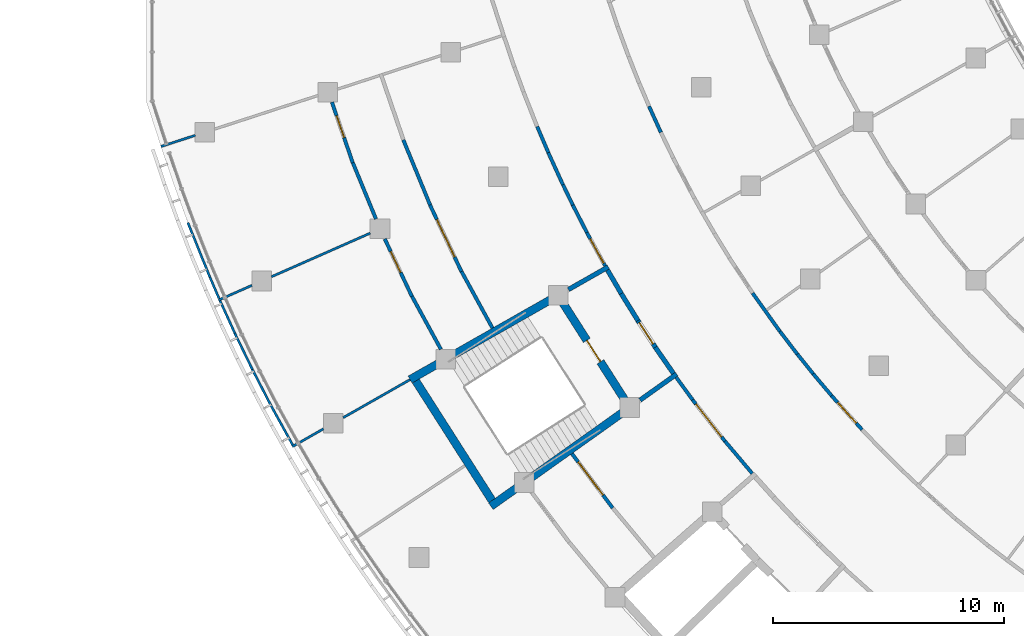
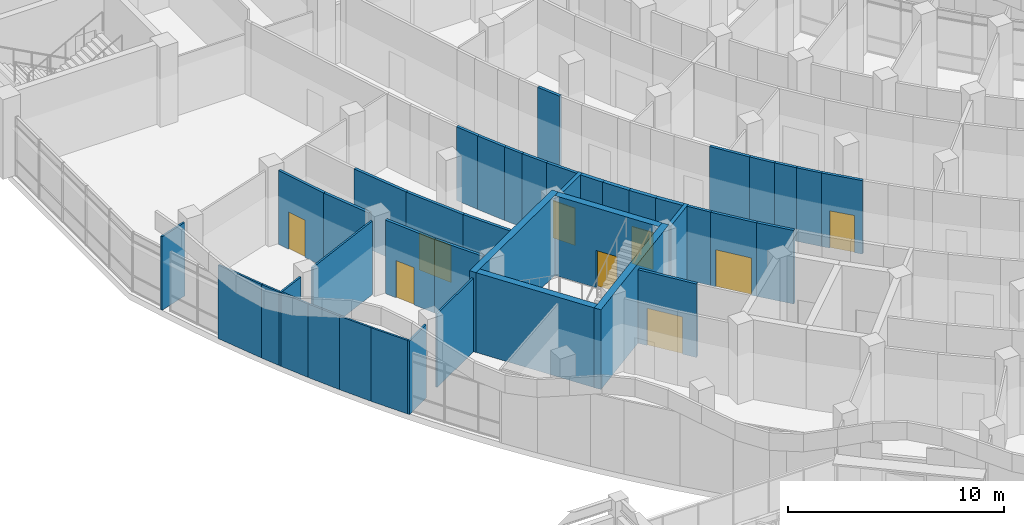
# One storey, part 65 of 136: 43 walls, 9 doors, 9 openings.
"""IFC4 building model written with IfcOpenShell, lengths in metres."""

from ifc_helpers import new_model, si_unit, direction, frame, frame_2d, origin, place, context, subcontext, project, spatial, rectangle, extrude, material, layer, layer_set, type_object, element, fill, save


model = new_model("IFC4")

# Units and contexts
model_context = context("Model", 3, precision=1e-05, world=origin(), true_north=direction((0.0, 1.0)))
body_context = subcontext(model_context, "Body", "Model", "MODEL_VIEW")
ifc_project = project(units=[si_unit("LENGTHUNIT", "METRE"), si_unit("AREAUNIT", "SQUARE_METRE"), si_unit("VOLUMEUNIT", "CUBIC_METRE"), si_unit("PLANEANGLEUNIT", "RADIAN"), si_unit("MASSUNIT", "GRAM", prefix="KILO")], contexts=[model_context])

# Site, building, storey
site_placement = place(None, origin())
site = spatial("IfcSite", under=ifc_project, at=site_placement, CompositionType="ELEMENT")
building_placement = place(site_placement, origin())
building = spatial("IfcBuilding", under=site, at=building_placement, Name="Bougainvillea Quay General Hospital", CompositionType="ELEMENT")
storey_placement = place(building_placement, frame((0.0, 0.0, 5.39990234375)))
storey = spatial("IfcBuildingStorey", under=building, at=storey_placement, Name="L01", CompositionType="ELEMENT", Elevation=5.39990234375)

# Walls
ifc_material_1 = material(Name="Gypsum board partition on steel studs", Category="steel")
ifc_layer_1 = layer(ifc_material_1, 0.10009765625)
ifc_layer_set_1 = layer_set([ifc_layer_1], Name="Gypsum board partition on steel studs")
wall_type_1 = type_object("IfcWallType", Name="Partition 100 Gypsum board partition EI 30", PredefinedType="PARTITIONING", material=ifc_layer_set_1)
wall_1_placement = place(storey_placement, frame((42.6259765625, 104.368896484375, 0.0), z_axis=(0.0, 0.0, 1.0), x_axis=(0.951042089894, 0.309061390748, 0.0)))
element("IfcWall", 1, at=wall_1_placement, inside=storey, type_object=wall_type_1, Name="Partition 100 mm EI 30", PredefinedType="PARTITIONING", context=body_context, shape_type="SweptSolid", body=[
    extrude(rectangle(XDim=1.565673828125, YDim=0.10009765625, at=frame_2d((0.78271484375, 0.0))), origin(), (0.0, 0.0, 1.0), 4.150146484375),
])
wall_2_placement = place(storey_placement, frame((48.3125, 91.371337890625, 0.0), z_axis=(0.0, 0.0, 1.0), x_axis=(0.869234661703, 0.494399739981, 0.0)))
element("IfcWall", 2, at=wall_2_placement, inside=storey, type_object=wall_type_1, Name="Partition 100 mm EI 30", PredefinedType="PARTITIONING", context=body_context, shape_type="SweptSolid", body=[
    extrude(rectangle(XDim=1.557861328125, YDim=0.10009765625, at=frame_2d((0.77880859375, 0.0))), origin(), (0.0, 0.0, 1.0), 4.150146484375),
])
wall_3_placement = place(storey_placement, frame((50.51513671875, 92.624267578125, 0.0), z_axis=(0.0, 0.0, 1.0), x_axis=(0.869240805435, 0.494388938152, 0.0)))
element("IfcWall", 3, at=wall_3_placement, inside=storey, type_object=wall_type_1, Name="Partition 100 mm EI 30", PredefinedType="PARTITIONING", context=body_context, shape_type="SweptSolid", body=[
    extrude(rectangle(XDim=3.337158203125, YDim=0.10009765625, at=frame_2d((1.66845703125, 0.0))), origin(), (0.0, 0.0, 1.0), 4.150146484375),
])
wall_4_placement = place(storey_placement, frame((45.1171875, 97.71484375, 0.0), z_axis=(0.0, 0.0, 1.0), x_axis=(0.914854349244, 0.403784001254, 0.0)))
element("IfcWall", 4, at=wall_4_placement, inside=storey, type_object=wall_type_1, Name="Partition 100 mm EI 30", PredefinedType="PARTITIONING", context=body_context, shape_type="SweptSolid", body=[
    extrude(rectangle(XDim=1.58837890625, YDim=0.10009765625, at=frame_2d((0.794189453125, 0.0))), origin(), (0.0, 0.0, 1.0), 4.150146484375),
])
wall_5_placement = place(storey_placement, frame((47.409912109375, 98.726806640625, 0.0), z_axis=(0.0, 0.0, 1.0), x_axis=(0.914855501136, 0.403781391401, 0.0)))
element("IfcWall", 5, at=wall_5_placement, inside=storey, type_object=wall_type_1, Name="Partition 100 mm EI 30", PredefinedType="PARTITIONING", context=body_context, shape_type="SweptSolid", body=[
    extrude(rectangle(XDim=4.682861328125, YDim=0.10009765625, at=frame_2d((2.34130859375, 0.0))), origin(), (0.0, 0.0, 1.0), 4.150146484375),
])
wall_6_placement = place(storey_placement, frame((43.791015625, 101.069091796875, 0.0), z_axis=(0.0, 0.0, 1.0), x_axis=(0.374360148829, -0.927283386549, 0.0)))
element("IfcWall", 6, at=wall_6_placement, inside=storey, type_object=wall_type_1, Name="Partition 100 mm EI 30", PredefinedType="PARTITIONING", context=body_context, shape_type="SweptSolid", body=[
    extrude(rectangle(XDim=2.5498046875, YDim=0.10009765625, at=frame_2d((1.27490234375, 0.0))), origin(), (0.0, 0.0, 1.0), 4.150146484375),
])
wall_7_placement = place(storey_placement, frame((47.3837890625, 93.15771484375, 0.0), z_axis=(0.0, 0.0, 1.0), x_axis=(0.483136563149, -0.87554500818, 0.0)))
element("IfcWall", 7, at=wall_7_placement, inside=storey, type_object=wall_type_1, Name="Partition 100 mm EI 30", PredefinedType="PARTITIONING", context=body_context, shape_type="SweptSolid", body=[
    extrude(rectangle(XDim=1.961669921875, YDim=0.10009765625, at=frame_2d((0.98095703125, 0.0))), origin(), (0.0, 0.0, 1.0), 4.150146484375),
])
wall_8_placement = place(storey_placement, frame((46.5830078125, 94.71240234375, 0.0), z_axis=(0.0, 0.0, 1.0), x_axis=(0.458671346527, -0.888605984604, 0.0)))
element("IfcWall", 8, at=wall_8_placement, inside=storey, type_object=wall_type_1, Name="Partition 100 mm EI 30", PredefinedType="PARTITIONING", context=body_context, shape_type="SweptSolid", body=[
    extrude(rectangle(XDim=1.750244140625, YDim=0.10009765625, at=frame_2d((0.875, 0.0))), origin(), (0.0, 0.0, 1.0), 4.150146484375),
])
wall_9_placement = place(storey_placement, frame((45.8203125, 96.285888671875, 0.0), z_axis=(0.0, 0.0, 1.0), x_axis=(0.436858804859, -0.899530091002, 0.0)))
element("IfcWall", 9, at=wall_9_placement, inside=storey, type_object=wall_type_1, Name="Partition 100 mm EI 30", PredefinedType="PARTITIONING", context=body_context, shape_type="SweptSolid", body=[
    extrude(rectangle(XDim=1.749755859375, YDim=0.10009765625, at=frame_2d((0.875, 0.0))), origin(), (0.0, 0.0, 1.0), 4.150146484375),
])
wall_10_placement = place(storey_placement, frame((45.183837890625, 97.68896484375, 0.0), z_axis=(0.0, 0.0, 1.0), x_axis=(0.413779082593, -0.910377323316, 0.0)))
element("IfcWall", 10, at=wall_10_placement, inside=storey, type_object=wall_type_1, Name="Partition 100 mm EI 30", PredefinedType="PARTITIONING", context=body_context, shape_type="SweptSolid", body=[
    extrude(rectangle(XDim=1.541748046875, YDim=0.10009765625, at=frame_2d((0.77099609375, 0.0))), origin(), (0.0, 0.0, 1.0), 4.150146484375),
])
wall_11_placement = place(storey_placement, frame((44.746337890625, 98.7060546875, 0.0), z_axis=(0.0, 0.0, 1.0), x_axis=(0.394329278157, -0.918969216235, 0.0)))
element("IfcWall", 11, at=wall_11_placement, inside=storey, type_object=wall_type_1, Name="Partition 100 mm EI 30", PredefinedType="PARTITIONING", context=body_context, shape_type="SweptSolid", body=[
    extrude(rectangle(XDim=1.006103515625, YDim=0.10009765625, at=frame_2d((0.5029296875, 0.0))), origin(), (0.0, 0.0, 1.0), 4.150146484375),
])

# Wall, opening, door
ifc_material_2 = material(Name="Gypsum board partition on steel studs, insulated", Category="steel")
ifc_layer_2 = layer(ifc_material_2, 0.14990234375)
ifc_layer_set_2 = layer_set([ifc_layer_2], Name="Gypsum board partition on steel studs, insulated")
wall_type_2 = type_object("IfcWallType", Name="Partition 150 Gypsum board partition EI 30", PredefinedType="PARTITIONING", material=ifc_layer_set_2)
wall_12_placement = place(storey_placement, frame((50.03076171875, 106.2890625, 0.0), z_axis=(0.0, 0.0, 1.0), x_axis=(0.324824658283, -0.945774254974, 0.0)))
wall_12 = element("IfcWall", 12, at=wall_12_placement, inside=storey, type_object=wall_type_2, Name="Partition 150 mm EI 30", PredefinedType="PARTITIONING", context=body_context, shape_type="SweptSolid", body=[
    extrude(rectangle(XDim=2.78173828125, YDim=0.14990234375, at=frame_2d((1.390869140625, 0.0))), origin(), (0.0, 0.0, 1.0), 4.150146484375),
])
opening_1_placement = place(wall_12_placement, frame((0.62451171875, 0.0, 0.0)))
opening_1 = element("IfcOpeningElement", 13, at=opening_1_placement, cuts=wall_12, Name="Opening L01.255", PredefinedType="OPENING", context=body_context, shape_type="SweptSolid", body=[
    extrude(rectangle(XDim=1.0, YDim=2.10009765625, at=frame_2d((0.5, 1.050048828125))), frame((0.0, 0.0849609375, 0.0), z_axis=(0.0, -1.0, 0.0), x_axis=(1.0, 0.0, 0.0)), (0.0, 0.0, 1.0), 0.169921875),
])
ifc_material_3 = material(Name="Solid-core timber door leaf in steel frame", Category="steel")
door_type_1 = type_object("IfcDoorType", Name="Single leaf door 1000x2100 FD30S", OperationType="NOTDEFINED", PredefinedType="DOOR", material=ifc_material_3)
door_1_placement = place(opening_1_placement, frame((1.0, 0.0, 0.0), z_axis=(0.0, 0.0, 1.0), x_axis=(-1.0, 0.0, 0.0)))
door_1 = element("IfcDoor", 14, at=door_1_placement, inside=storey, type_object=door_type_1, Name="DT15 L01.255", OperationType="SINGLE_SWING_RIGHT", OverallHeight=2.10009765625, OverallWidth=1.0, PredefinedType="DOOR", context=body_context, shape_type="SweptSolid", body=[
    extrude(rectangle(XDim=1.0, YDim=2.10009765625, at=frame_2d((0.5, 1.050048828125))), frame((0.0, 0.02490234375, 0.0), z_axis=(0.0, -1.0, 0.0), x_axis=(1.0, 0.0, 0.0)), (0.0, 0.0, 1.0), 0.050048828125),
])
fill(opening_1, door_1)

wall_13_placement = place(storey_placement, frame((52.3173828125, 100.37158203125, 0.0), z_axis=(0.0, 0.0, 1.0), x_axis=(0.426699152938, -0.904393627179, 0.0)))
wall_13 = element("IfcWall", 15, at=wall_13_placement, inside=storey, type_object=wall_type_2, Name="Partition 150 mm EI 30", PredefinedType="PARTITIONING", context=body_context, shape_type="SweptSolid", body=[
    extrude(rectangle(XDim=2.762451171875, YDim=0.14990234375, at=frame_2d((1.38134765625, 0.0))), origin(), (0.0, 0.0, 1.0), 4.150146484375),
])
opening_2_placement = place(wall_13_placement, frame((0.605224609375, 0.0, 0.0)))
opening_2 = element("IfcOpeningElement", 16, at=opening_2_placement, cuts=wall_13, Name="Opening L01.254", PredefinedType="OPENING", context=body_context, shape_type="SweptSolid", body=[
    extrude(rectangle(XDim=1.0, YDim=2.10009765625, at=frame_2d((0.5, 1.050048828125))), frame((0.0, 0.0849609375, 0.0), z_axis=(0.0, -1.0, 0.0), x_axis=(1.0, 0.0, 0.0)), (0.0, 0.0, 1.0), 0.169921875),
])
door_2_placement = place(opening_2_placement, frame((1.0, 0.0, 0.0), z_axis=(0.0, 0.0, 1.0), x_axis=(-1.0, 0.0, 0.0)))
door_2 = element("IfcDoor", 17, at=door_2_placement, inside=storey, type_object=door_type_1, Name="DT15 L01.254", OperationType="SINGLE_SWING_RIGHT", OverallHeight=2.10009765625, OverallWidth=1.0, PredefinedType="DOOR", context=body_context, shape_type="SweptSolid", body=[
    extrude(rectangle(XDim=1.0, YDim=2.10009765625, at=frame_2d((0.5, 1.050048828125))), frame((0.0, 0.02490234375, 0.0), z_axis=(0.0, -1.0, 0.0), x_axis=(1.0, 0.0, 0.0)), (0.0, 0.0, 1.0), 0.050048828125),
])
fill(opening_2, door_2)

# Walls
wall_14_placement = place(storey_placement, frame((50.93701171875, 103.66357421875, 0.0), z_axis=(0.0, 0.0, 1.0), x_axis=(0.380525729279, -0.924770333302, 0.0)))
element("IfcWall", 18, at=wall_14_placement, inside=storey, type_object=wall_type_2, Name="Partition 150 mm EI 30", PredefinedType="PARTITIONING", context=body_context, shape_type="SweptSolid", body=[
    extrude(rectangle(XDim=2.630615234375, YDim=0.14990234375, at=frame_2d((1.3154296875, 0.0))), origin(), (0.0, 0.0, 1.0), 4.150146484375),
])
wall_15_placement = place(storey_placement, frame((53.497802734375, 97.87890625, 0.0), z_axis=(0.0, 0.0, 1.0), x_axis=(0.479886541842, -0.877330557407, 0.0)))
element("IfcWall", 19, at=wall_15_placement, inside=storey, type_object=wall_type_2, Name="Partition 150 mm EI 30", PredefinedType="PARTITIONING", context=body_context, shape_type="SweptSolid", body=[
    extrude(rectangle(XDim=2.61181640625, YDim=0.14990234375, at=frame_2d((1.305908203125, 0.0))), origin(), (0.0, 0.0, 1.0), 4.150146484375),
])

# Wall, opening, door
wall_16_placement = place(storey_placement, frame((54.277099609375, 101.83984375, 0.0), z_axis=(0.0, 0.0, 1.0), x_axis=(0.426790955489, -0.904350308405, 0.0)))
wall_16 = element("IfcWall", 20, at=wall_16_placement, inside=storey, type_object=wall_type_2, Name="Partition 150 mm EI 30", PredefinedType="PARTITIONING", context=body_context, shape_type="SweptSolid", body=[
    extrude(rectangle(XDim=3.193115234375, YDim=0.14990234375, at=frame_2d((1.5966796875, 0.0))), origin(), (0.0, 0.0, 1.0), 4.150146484375),
])
opening_3_placement = place(wall_16_placement, frame((0.696533203125, 0.0, 0.0)))
opening_3 = element("IfcOpeningElement", 21, at=opening_3_placement, cuts=wall_16, Name="Opening L01.225", PredefinedType="OPENING", context=body_context, shape_type="SweptSolid", body=[
    extrude(rectangle(XDim=1.800048828125, YDim=2.10009765625, at=frame_2d((0.89990234375, 1.050048828125))), frame((0.0, 0.0849609375, 0.0), z_axis=(0.0, -1.0, 0.0), x_axis=(1.0, 0.0, 0.0)), (0.0, 0.0, 1.0), 0.169921875),
])
ifc_material_4 = material(Name="Solid-core timber door leaves in steel frame", Category="steel")
door_type_2 = type_object("IfcDoorType", Name="Double leaf door 1800x2100", OperationType="DOUBLE_DOOR_SINGLE_SWING", PredefinedType="DOOR", material=ifc_material_4)
door_3_placement = place(opening_3_placement, frame((1.800048828125, 0.0, 0.0), z_axis=(0.0, 0.0, 1.0), x_axis=(-1.0, 0.0, 0.0)))
door_3 = element("IfcDoor", 22, at=door_3_placement, inside=storey, type_object=door_type_2, Name="DT08 L01.225", OperationType="DOUBLE_DOOR_SINGLE_SWING", OverallHeight=2.10009765625, OverallWidth=1.800048828125, PredefinedType="DOOR", context=body_context, shape_type="SweptSolid", body=[
    extrude(rectangle(XDim=1.800048828125, YDim=2.10009765625, at=frame_2d((0.89990234375, 1.050048828125))), frame((0.0, 0.02490234375, 0.0), z_axis=(0.0, -1.0, 0.0), x_axis=(1.0, 0.0, 0.0)), (0.0, 0.0, 1.0), 0.050048828125),
])
fill(opening_3, door_3)

# Wall
wall_17_placement = place(storey_placement, frame((53.12255859375, 104.655517578125, 0.0), z_axis=(0.0, 0.0, 1.0), x_axis=(0.380463637507, -0.92479588047, 0.0)))
element("IfcWall", 23, at=wall_17_placement, inside=storey, type_object=wall_type_2, Name="Partition 150 mm EI 30", PredefinedType="PARTITIONING", context=body_context, shape_type="SweptSolid", body=[
    extrude(rectangle(XDim=3.046875, YDim=0.14990234375, at=frame_2d((1.5234375, 0.0))), origin(), (0.0, 0.0, 1.0), 4.150146484375),
])

# Wall, opening, door
wall_18_placement = place(storey_placement, frame((60.4228515625, 91.06787109375, 0.0), z_axis=(0.0, 0.0, 1.0), x_axis=(0.600119519183, -0.799910346661, 0.0)))
wall_18 = element("IfcWall", 24, at=wall_18_placement, inside=storey, type_object=wall_type_2, Name="Partition 150 mm EI 30", PredefinedType="PARTITIONING", context=body_context, shape_type="SweptSolid", body=[
    extrude(rectangle(XDim=2.94140625, YDim=0.14990234375, at=frame_2d((1.470703125, 0.0))), origin(), (0.0, 0.0, 1.0), 4.150146484375),
])
opening_4_placement = place(wall_18_placement, frame((0.44482421875, 0.0, 0.0)))
opening_4 = element("IfcOpeningElement", 25, at=opening_4_placement, cuts=wall_18, Name="Opening L01.224", PredefinedType="OPENING", context=body_context, shape_type="SweptSolid", body=[
    extrude(rectangle(XDim=1.800048828125, YDim=2.10009765625, at=frame_2d((0.89990234375, 1.050048828125))), frame((0.0, 0.0849609375, 0.0), z_axis=(0.0, -1.0, 0.0), x_axis=(1.0, 0.0, 0.0)), (0.0, 0.0, 1.0), 0.169921875),
])
door_4_placement = place(opening_4_placement, frame((1.800048828125, 0.0, 0.0), z_axis=(0.0, 0.0, 1.0), x_axis=(-1.0, 0.0, 0.0)))
door_4 = element("IfcDoor", 26, at=door_4_placement, inside=storey, type_object=door_type_2, Name="DT08 L01.224", OperationType="DOUBLE_DOOR_SINGLE_SWING", OverallHeight=2.10009765625, OverallWidth=1.800048828125, PredefinedType="DOOR", context=body_context, shape_type="SweptSolid", body=[
    extrude(rectangle(XDim=1.800048828125, YDim=2.10009765625, at=frame_2d((0.89990234375, 1.050048828125))), frame((0.0, 0.02490234375, 0.0), z_axis=(0.0, -1.0, 0.0), x_axis=(1.0, 0.0, 0.0)), (0.0, 0.0, 1.0), 0.050048828125),
])
fill(opening_4, door_4)

# Wall
wall_19_placement = place(storey_placement, frame((55.64208984375, 98.9580078125, 0.0), z_axis=(0.0, 0.0, 1.0), x_axis=(0.479861725731, -0.877344130988, 0.0)))
element("IfcWall", 27, at=wall_19_placement, inside=storey, type_object=wall_type_2, Name="Partition 150 mm EI 30", PredefinedType="PARTITIONING", context=body_context, shape_type="SweptSolid", body=[
    extrude(rectangle(XDim=2.794677734375, YDim=0.14990234375, at=frame_2d((1.3974609375, 0.0))), origin(), (0.0, 0.0, 1.0), 4.150146484375),
])

# Wall, opening, door
wall_20_placement = place(storey_placement, frame((65.646728515625, 93.401123046875, 0.0), z_axis=(0.0, 0.0, 1.0), x_axis=(0.615999292534, -0.787746705228, 0.0)))
wall_20 = element("IfcWall", 28, at=wall_20_placement, inside=storey, type_object=wall_type_2, Name="Partition 150 mm EI 30", PredefinedType="PARTITIONING", context=body_context, shape_type="SweptSolid", body=[
    extrude(rectangle(XDim=2.280029296875, YDim=0.14990234375, at=frame_2d((1.14013671875, 0.0))), origin(), (0.0, 0.0, 1.0), 4.150146484375),
])
opening_5_placement = place(wall_20_placement, frame((0.239990234375, 0.0, 0.0)))
opening_5 = element("IfcOpeningElement", 29, at=opening_5_placement, cuts=wall_20, Name="Opening L01.238", PredefinedType="OPENING", context=body_context, shape_type="SweptSolid", body=[
    extrude(rectangle(XDim=1.800048828125, YDim=2.10009765625, at=frame_2d((0.89990234375, 1.050048828125))), frame((0.0, 0.0849609375, 0.0), z_axis=(0.0, -1.0, 0.0), x_axis=(1.0, 0.0, 0.0)), (0.0, 0.0, 1.0), 0.169921875),
])
door_5_placement = place(opening_5_placement, origin())
door_5 = element("IfcDoor", 30, at=door_5_placement, inside=storey, type_object=door_type_2, Name="DT08 L01.238", OperationType="DOUBLE_DOOR_SINGLE_SWING", OverallHeight=2.10009765625, OverallWidth=1.800048828125, PredefinedType="DOOR", context=body_context, shape_type="SweptSolid", body=[
    extrude(rectangle(XDim=1.800048828125, YDim=2.10009765625, at=frame_2d((0.89990234375, 1.050048828125))), frame((0.0, 0.02490234375, 0.0), z_axis=(0.0, -1.0, 0.0), x_axis=(1.0, 0.0, 0.0)), (0.0, 0.0, 1.0), 0.050048828125),
])
fill(opening_5, door_5)

# Walls
wall_21_placement = place(storey_placement, frame((67.051513671875, 91.60888671875, 0.0), z_axis=(0.0, 0.0, 1.0), x_axis=(0.645369063346, -0.763870913228, 0.0)))
element("IfcWall", 31, at=wall_21_placement, inside=storey, type_object=wall_type_2, Name="Partition 150 mm EI 30", PredefinedType="PARTITIONING", context=body_context, shape_type="SweptSolid", body=[
    extrude(rectangle(XDim=1.83349609375, YDim=0.14990234375, at=frame_2d((0.916748046875, 0.0))), origin(), (0.0, 0.0, 1.0), 4.150146484375),
])
wall_22_placement = place(storey_placement, frame((68.247314453125, 98.02001953125, 0.0), z_axis=(0.0, 0.0, 1.0), x_axis=(0.580842026392, -0.81401630228, 0.0)))
element("IfcWall", 32, at=wall_22_placement, inside=storey, type_object=wall_type_2, Name="Partition 150 mm EI 30", PredefinedType="PARTITIONING", context=body_context, shape_type="SweptSolid", body=[
    extrude(rectangle(XDim=2.040771484375, YDim=0.14990234375, at=frame_2d((1.0205078125, 0.0))), origin(), (0.0, 0.0, 1.0), 4.150146484375),
])

# Wall, opening, door
wall_23_placement = place(storey_placement, frame((71.666748046875, 93.576904296875, 0.0), z_axis=(0.0, 0.0, 1.0), x_axis=(0.668733315137, -0.743502355898, 0.0)))
wall_23 = element("IfcWall", 33, at=wall_23_placement, inside=storey, type_object=wall_type_2, Name="Partition 150 mm EI 30", PredefinedType="PARTITIONING", context=body_context, shape_type="SweptSolid", body=[
    extrude(rectangle(XDim=1.98193359375, YDim=0.14990234375, at=frame_2d((0.990966796875, 0.0))), origin(), (0.0, 0.0, 1.0), 4.150146484375),
])
opening_6_placement = place(wall_23_placement, frame((0.390869140625, 0.0, 0.0)))
opening_6 = element("IfcOpeningElement", 34, at=opening_6_placement, cuts=wall_23, Name="Opening L01.241", PredefinedType="OPENING", context=body_context, shape_type="SweptSolid", body=[
    extrude(rectangle(XDim=1.199951171875, YDim=2.10009765625, at=frame_2d((0.60009765625, 1.050048828125))), frame((0.0, 0.0849609375, 0.0), z_axis=(0.0, -1.0, 0.0), x_axis=(1.0, 0.0, 0.0)), (0.0, 0.0, 1.0), 0.169921875),
])
door_type_3 = type_object("IfcDoorType", Name="Single leaf door 1200x2100", OperationType="NOTDEFINED", PredefinedType="DOOR", material=ifc_material_3)
door_6_placement = place(opening_6_placement, frame((1.199951171875, 0.0, 0.0), z_axis=(0.0, 0.0, 1.0), x_axis=(-1.0, 0.0, 0.0)))
door_6 = element("IfcDoor", 35, at=door_6_placement, inside=storey, type_object=door_type_3, Name="DT13 L01.241", OperationType="SINGLE_SWING_RIGHT", OverallHeight=2.10009765625, OverallWidth=1.199951171875, PredefinedType="DOOR", context=body_context, shape_type="SweptSolid", body=[
    extrude(rectangle(XDim=1.199951171875, YDim=2.10009765625, at=frame_2d((0.60009765625, 1.050048828125))), frame((0.0, 0.02490234375, 0.0), z_axis=(0.0, -1.0, 0.0), x_axis=(1.0, 0.0, 0.0)), (0.0, 0.0, 1.0), 0.050048828125),
])
fill(opening_6, door_6)

wall_24_placement = place(storey_placement, frame((61.07080078125, 100.640869140625, 0.0), z_axis=(0.0, 0.0, 1.0), x_axis=(0.481122709727, -0.876653259952, 0.0)))
wall_24 = element("IfcWall", 36, at=wall_24_placement, inside=storey, type_object=wall_type_2, Name="Partition 150 mm EI 30", PredefinedType="PARTITIONING", context=body_context, shape_type="SweptSolid", body=[
    extrude(rectangle(XDim=1.648681640625, YDim=0.14990234375, at=frame_2d((0.82421875, 0.0))), origin(), (0.0, 0.0, 1.0), 4.150146484375),
])
opening_7_placement = place(wall_24_placement, frame((0.312744140625, 0.0, 0.0)))
opening_7 = element("IfcOpeningElement", 37, at=opening_7_placement, cuts=wall_24, Name="Opening L01.239", PredefinedType="OPENING", context=body_context, shape_type="SweptSolid", body=[
    extrude(rectangle(XDim=1.199951171875, YDim=2.10009765625, at=frame_2d((0.60009765625, 1.050048828125))), frame((0.0, 0.0849609375, 0.0), z_axis=(0.0, -1.0, 0.0), x_axis=(1.0, 0.0, 0.0)), (0.0, 0.0, 1.0), 0.169921875),
])
door_7_placement = place(opening_7_placement, origin())
door_7 = element("IfcDoor", 38, at=door_7_placement, inside=storey, type_object=door_type_3, Name="DT13 L01.239", OperationType="SINGLE_SWING_RIGHT", OverallHeight=2.10009765625, OverallWidth=1.199951171875, PredefinedType="DOOR", context=body_context, shape_type="SweptSolid", body=[
    extrude(rectangle(XDim=1.199951171875, YDim=2.10009765625, at=frame_2d((0.60009765625, 1.050048828125))), frame((0.0, 0.02490234375, 0.0), z_axis=(0.0, -1.0, 0.0), x_axis=(1.0, 0.0, 0.0)), (0.0, 0.0, 1.0), 0.050048828125),
])
fill(opening_7, door_7)

# Walls
wall_25_placement = place(storey_placement, frame((64.939208984375, 94.373779296875, 0.0), z_axis=(0.0, 0.0, 1.0), x_axis=(0.589904843898, -0.807472770529, 0.0)))
element("IfcWall", 39, at=wall_25_placement, inside=storey, type_object=wall_type_2, Name="Partition 150 mm EI 30", PredefinedType="PARTITIONING", context=body_context, shape_type="SweptSolid", body=[
    extrude(rectangle(XDim=1.205078125, YDim=0.14990234375, at=frame_2d((0.6025390625, 0.0))), origin(), (0.0, 0.0, 1.0), 4.150146484375),
])
wall_26_placement = place(storey_placement, frame((59.40087890625, 104.101318359375, 0.0), z_axis=(0.0, 0.0, 1.0), x_axis=(0.415269380583, -0.909698489363, 0.0)))
element("IfcWall", 40, at=wall_26_placement, inside=storey, type_object=wall_type_2, Name="Partition 150 mm EI 30", PredefinedType="PARTITIONING", context=body_context, shape_type="SweptSolid", body=[
    extrude(rectangle(XDim=1.52978515625, YDim=0.14990234375, at=frame_2d((0.764892578125, 0.0))), origin(), (0.0, 0.0, 1.0), 4.150146484375),
])
wall_27_placement = place(storey_placement, frame((58.919677734375, 105.23486328125, 0.0), z_axis=(0.0, 0.0, 1.0), x_axis=(0.392150618993, -0.919901022949, 0.0)))
element("IfcWall", 41, at=wall_27_placement, inside=storey, type_object=wall_type_2, Name="Partition 150 mm EI 30", PredefinedType="PARTITIONING", context=body_context, shape_type="SweptSolid", body=[
    extrude(rectangle(XDim=1.2333984375, YDim=0.14990234375, at=frame_2d((0.61669921875, 0.0))), origin(), (0.0, 0.0, 1.0), 4.150146484375),
])
wall_28_placement = place(storey_placement, frame((60.461669921875, 101.831787109375, 0.0), z_axis=(0.0, 0.0, 1.0), x_axis=(0.456808582034, -0.889565016949, 0.0)))
element("IfcWall", 42, at=wall_28_placement, inside=storey, type_object=wall_type_2, Name="Partition 150 mm EI 30", PredefinedType="PARTITIONING", context=body_context, shape_type="SweptSolid", body=[
    extrude(rectangle(XDim=1.33984375, YDim=0.14990234375, at=frame_2d((0.669921875, 0.0))), origin(), (0.0, 0.0, 1.0), 4.150146484375),
])
wall_29_placement = place(storey_placement, frame((69.43310546875, 96.3623046875, 0.0), z_axis=(0.0, 0.0, 1.0), x_axis=(0.606457599152, -0.795115828311, 0.0)))
element("IfcWall", 43, at=wall_29_placement, inside=storey, type_object=wall_type_2, Name="Partition 150 mm EI 30", PredefinedType="PARTITIONING", context=body_context, shape_type="SweptSolid", body=[
    extrude(rectangle(XDim=1.242431640625, YDim=0.14990234375, at=frame_2d((0.62109375, 0.0))), origin(), (0.0, 0.0, 1.0), 4.150146484375),
])
wall_30_placement = place(storey_placement, frame((70.86865234375, 94.525390625, 0.0), z_axis=(0.0, 0.0, 1.0), x_axis=(0.645236922374, -0.763982535144, 0.0)))
element("IfcWall", 44, at=wall_30_placement, inside=storey, type_object=wall_type_2, Name="Partition 150 mm EI 30", PredefinedType="PARTITIONING", context=body_context, shape_type="SweptSolid", body=[
    extrude(rectangle(XDim=1.241943359375, YDim=0.14990234375, at=frame_2d((0.62109375, 0.0))), origin(), (0.0, 0.0, 1.0), 4.150146484375),
])
wall_31_placement = place(storey_placement, frame((63.762939453125, 106.1103515625, 0.0), z_axis=(0.0, 0.0, 1.0), x_axis=(0.413936344261, -0.910305829323, 0.0)))
element("IfcWall", 45, at=wall_31_placement, inside=storey, type_object=wall_type_2, Name="Partition 150 mm EI 30", PredefinedType="PARTITIONING", context=body_context, shape_type="SweptSolid", body=[
    extrude(rectangle(XDim=1.240966796875, YDim=0.14990234375, at=frame_2d((0.62060546875, 0.0))), origin(), (0.0, 0.0, 1.0), 4.150146484375),
])
wall_32_placement = place(storey_placement, frame((70.186767578125, 95.376953125, 0.0), z_axis=(0.0, 0.0, 1.0), x_axis=(0.626301399266, -0.779581013928, 0.0)))
element("IfcWall", 46, at=wall_32_placement, inside=storey, type_object=wall_type_2, Name="Partition 150 mm EI 30", PredefinedType="PARTITIONING", context=body_context, shape_type="SweptSolid", body=[
    extrude(rectangle(XDim=1.092529296875, YDim=0.14990234375, at=frame_2d((0.54638671875, 0.0))), origin(), (0.0, 0.0, 1.0), 4.150146484375),
])
wall_33_placement = place(storey_placement, frame((60.037109375, 102.7119140625, 0.0), z_axis=(0.0, 0.0, 1.0), x_axis=(0.43620619425, -0.899846740339, 0.0)))
element("IfcWall", 47, at=wall_33_placement, inside=storey, type_object=wall_type_2, Name="Partition 150 mm EI 30", PredefinedType="PARTITIONING", context=body_context, shape_type="SweptSolid", body=[
    extrude(rectangle(XDim=0.97900390625, YDim=0.14990234375, at=frame_2d((0.489501953125, 0.0))), origin(), (0.0, 0.0, 1.0), 4.150146484375),
])
ifc_material_5 = material(Name="Fire-rated autoclaved aerated block wall, plastered")
ifc_layer_3 = layer(ifc_material_5, 0.199951171875)
ifc_layer_set_3 = layer_set([ifc_layer_3], Name="Fire-rated autoclaved aerated block wall, plastered")
wall_type_3 = type_object("IfcWallType", Name="Partition 200 Fire-rated autoclaved aerated block wall EI 120", PredefinedType="SOLIDWALL", material=ifc_layer_set_3)
wall_34_placement = place(storey_placement, frame((60.2744140625, 98.1748046875, 0.0), z_axis=(0.0, 0.0, 1.0), x_axis=(0.869398915424, 0.494110843698, 0.0)))
element("IfcWall", 48, at=wall_34_placement, inside=storey, type_object=wall_type_3, Name="Partition 200 mm EI 120", PredefinedType="SOLIDWALL", context=body_context, shape_type="SweptSolid", body=[
    extrude(rectangle(XDim=1.98486328125, YDim=0.199951171875, at=frame_2d((0.992431640625, 0.0))), origin(), (0.0, 0.0, 1.0), 4.150146484375),
])
wall_35_placement = place(storey_placement, frame((63.3740234375, 93.385009765625, 0.0), z_axis=(0.0, 0.0, 1.0), x_axis=(0.814765781477, 0.579790239081, 0.0)))
element("IfcWall", 49, at=wall_35_placement, inside=storey, type_object=wall_type_3, Name="Partition 200 mm EI 120", PredefinedType="SOLIDWALL", context=body_context, shape_type="SweptSolid", body=[
    extrude(rectangle(XDim=1.947021484375, YDim=0.199951171875, at=frame_2d((0.9736328125, 0.0))), origin(), (0.0, 0.0, 1.0), 4.150146484375),
])
wall_36_placement = place(storey_placement, frame((64.035888671875, 95.672119140625, 0.0), z_axis=(0.0, 0.0, 1.0), x_axis=(0.569771647524, -0.821803060153, 0.0)))
element("IfcWall", 50, at=wall_36_placement, inside=storey, type_object=wall_type_3, Name="Partition 200 mm EI 120", PredefinedType="SOLIDWALL", context=body_context, shape_type="SweptSolid", body=[
    extrude(rectangle(XDim=1.37841796875, YDim=0.199951171875, at=frame_2d((0.689208984375, 0.0))), origin(), (0.0, 0.0, 1.0), 4.150146484375),
])

# Wall, opening, door
wall_37_placement = place(storey_placement, frame((63.2822265625, 96.82763671875, 0.0), z_axis=(0.0, 0.0, 1.0), x_axis=(0.54791545279, -0.836533715156, 0.0)))
wall_37 = element("IfcWall", 51, at=wall_37_placement, inside=storey, type_object=wall_type_3, Name="Partition 200 mm EI 120", PredefinedType="SOLIDWALL", context=body_context, shape_type="SweptSolid", body=[
    extrude(rectangle(XDim=1.382080078125, YDim=0.199951171875, at=frame_2d((0.69091796875, 0.0))), origin(), (0.0, 0.0, 1.0), 4.150146484375),
])
opening_8_placement = place(wall_37_placement, frame((0.10009765625, 0.0, 0.0)))
opening_8 = element("IfcOpeningElement", 52, at=opening_8_placement, cuts=wall_37, Name="Opening L01.316", PredefinedType="OPENING", context=body_context, shape_type="SweptSolid", body=[
    extrude(rectangle(XDim=1.10009765625, YDim=2.10009765625, at=frame_2d((0.550048828125, 1.050048828125))), frame((0.0, 0.10986328125, 0.0), z_axis=(0.0, -1.0, 0.0), x_axis=(1.0, 0.0, 0.0)), (0.0, 0.0, 1.0), 0.219970703125),
])
ifc_material_6 = material(Name="Steel fire door leaf in steel frame", Category="steel")
door_type_4 = type_object("IfcDoorType", Name="Steel single leaf door 1100x2100 FD60", OperationType="NOTDEFINED", PredefinedType="DOOR", material=ifc_material_6)
door_8_placement = place(opening_8_placement, frame((1.10009765625, 0.0, 0.0), z_axis=(0.0, 0.0, 1.0), x_axis=(-1.0, 0.0, 0.0)))
door_8 = element("IfcDoor", 53, at=door_8_placement, inside=storey, type_object=door_type_4, Name="DT04 L01.316", OperationType="SINGLE_SWING_RIGHT", OverallHeight=2.10009765625, OverallWidth=1.10009765625, PredefinedType="DOOR", context=body_context, shape_type="SweptSolid", body=[
    extrude(rectangle(XDim=1.10009765625, YDim=2.10009765625, at=frame_2d((0.550048828125, 1.050048828125))), frame((0.0, 0.02490234375, 0.0), z_axis=(0.0, -1.0, 0.0), x_axis=(1.0, 0.0, 0.0)), (0.0, 0.0, 1.0), 0.050048828125),
])
fill(opening_8, door_8)

# Walls
wall_38_placement = place(storey_placement, frame((62.557373046875, 98.0009765625, 0.0), z_axis=(0.0, 0.0, 1.0), x_axis=(0.526993282669, -0.849869448811, 0.0)))
element("IfcWall", 54, at=wall_38_placement, inside=storey, type_object=wall_type_3, Name="Partition 200 mm EI 120", PredefinedType="SOLIDWALL", context=body_context, shape_type="SweptSolid", body=[
    extrude(rectangle(XDim=1.381591796875, YDim=0.199951171875, at=frame_2d((0.69091796875, 0.0))), origin(), (0.0, 0.0, 1.0), 4.150146484375),
])
wall_39_placement = place(storey_placement, frame((61.964111328125, 99.0185546875, 0.0), z_axis=(0.0, 0.0, 1.0), x_axis=(0.505554921375, -0.862794425963, 0.0)))
element("IfcWall", 55, at=wall_39_placement, inside=storey, type_object=wall_type_3, Name="Partition 200 mm EI 120", PredefinedType="SOLIDWALL", context=body_context, shape_type="SweptSolid", body=[
    extrude(rectangle(XDim=1.18017578125, YDim=0.199951171875, at=frame_2d((0.590087890625, 0.0))), origin(), (0.0, 0.0, 1.0), 4.150146484375),
])
ifc_material_7 = material(Name="Concrete C40", Category="concrete")
ifc_layer_4 = layer(ifc_material_7, 0.35009765625)
ifc_layer_set_4 = layer_set([ifc_layer_4], Name="Concrete C40")
wall_type_4 = type_object("IfcWallType", Name="RC SHEAR WALL 350 C40", PredefinedType="SHEAR", material=ifc_layer_set_4)
wall_40_placement = place(storey_placement, frame((53.415771484375, 94.2744140625, 0.0), z_axis=(0.0, 0.0, 1.0), x_axis=(0.869250335475, 0.494372181941, 0.0)))
element("IfcWall", 56, at=wall_40_placement, inside=storey, type_object=wall_type_4, Name="Shear wall L01", PredefinedType="SHEAR", context=body_context, shape_type="SweptSolid", body=[
    extrude(rectangle(XDim=7.54931640625, YDim=0.35009765625, at=frame_2d((3.774658203125, 0.0))), origin(), (0.0, 0.0, 1.0), 4.5),
])
wall_41_placement = place(storey_placement, frame((56.91552734375, 88.78857421875, 0.0), z_axis=(0.0, 0.0, 1.0), x_axis=(0.814717690591, 0.579857814157, 0.0)))
element("IfcWall", 57, at=wall_41_placement, inside=storey, type_object=wall_type_4, Name="Shear wall L01", PredefinedType="SHEAR", context=body_context, shape_type="SweptSolid", body=[
    extrude(rectangle(XDim=7.550048828125, YDim=0.35009765625, at=frame_2d((3.77490234375, 0.0))), origin(), (0.0, 0.0, 1.0), 4.5),
])
wall_42_placement = place(storey_placement, frame((56.9638671875, 89.03759765625, 0.0), z_axis=(0.0, 0.0, 1.0), x_axis=(-0.537811796172, 0.843064927451, 0.0)))
element("IfcWall", 58, at=wall_42_placement, inside=storey, type_object=wall_type_4, Name="Shear wall L01", PredefinedType="SHEAR", context=body_context, shape_type="SweptSolid", body=[
    extrude(rectangle(XDim=6.13916015625, YDim=0.35009765625, at=frame_2d((3.069580078125, 0.0))), origin(), (0.0, 0.0, 1.0), 4.5),
])

# Wall, opening, door
wall_43_placement = place(storey_placement, frame((62.829833984375, 93.21240234375, 0.0), z_axis=(0.0, 0.0, 1.0), x_axis=(-0.537903079352, 0.843006688718, 0.0)))
wall_43 = element("IfcWall", 59, at=wall_43_placement, inside=storey, type_object=wall_type_4, Name="Shear wall L01", PredefinedType="SHEAR", context=body_context, shape_type="SweptSolid", body=[
    extrude(rectangle(XDim=5.4091796875, YDim=0.35009765625, at=frame_2d((2.70458984375, 0.0))), origin(), (0.0, 0.0, 1.0), 4.5),
])
opening_9_placement = place(wall_43_placement, frame((2.173828125, 0.0, 0.0)))
opening_9 = element("IfcOpeningElement", 60, at=opening_9_placement, cuts=wall_43, Name="Opening L01.315", PredefinedType="OPENING", context=body_context, shape_type="SweptSolid", body=[
    extrude(rectangle(XDim=1.10009765625, YDim=2.10009765625, at=frame_2d((0.550048828125, 1.050048828125))), frame((0.0, 0.18505859375, 0.0), z_axis=(0.0, -1.0, 0.0), x_axis=(1.0, 0.0, 0.0)), (0.0, 0.0, 1.0), 0.3701171875),
])
door_9_placement = place(opening_9_placement, origin())
door_9 = element("IfcDoor", 61, at=door_9_placement, inside=storey, type_object=door_type_4, Name="DT04 L01.315", OperationType="SINGLE_SWING_RIGHT", OverallHeight=2.10009765625, OverallWidth=1.10009765625, PredefinedType="DOOR", context=body_context, shape_type="SweptSolid", body=[
    extrude(rectangle(XDim=1.10009765625, YDim=2.10009765625, at=frame_2d((0.550048828125, 1.050048828125))), frame((0.0, 0.02490234375, 0.0), z_axis=(0.0, -1.0, 0.0), x_axis=(1.0, 0.0, 0.0)), (0.0, 0.0, 1.0), 0.050048828125),
])
fill(opening_9, door_9)

save(model, "model.ifc")
